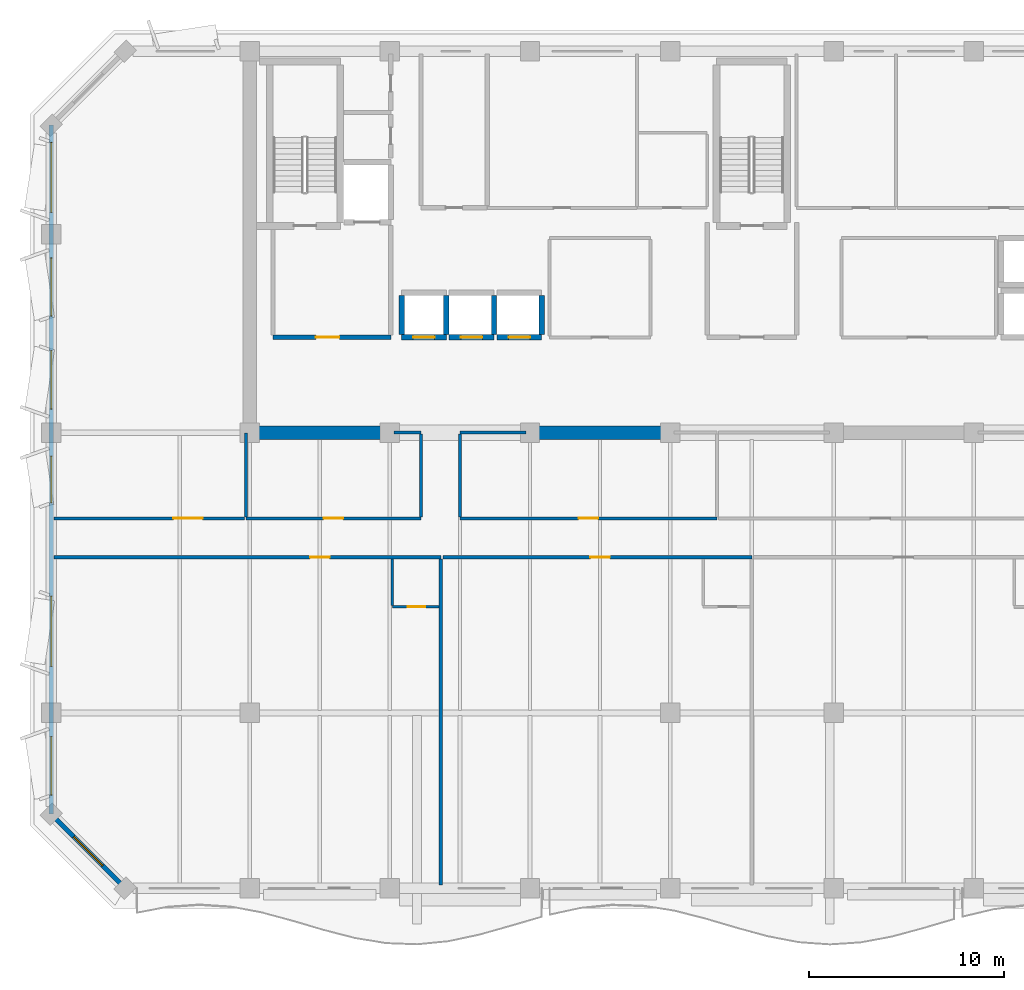
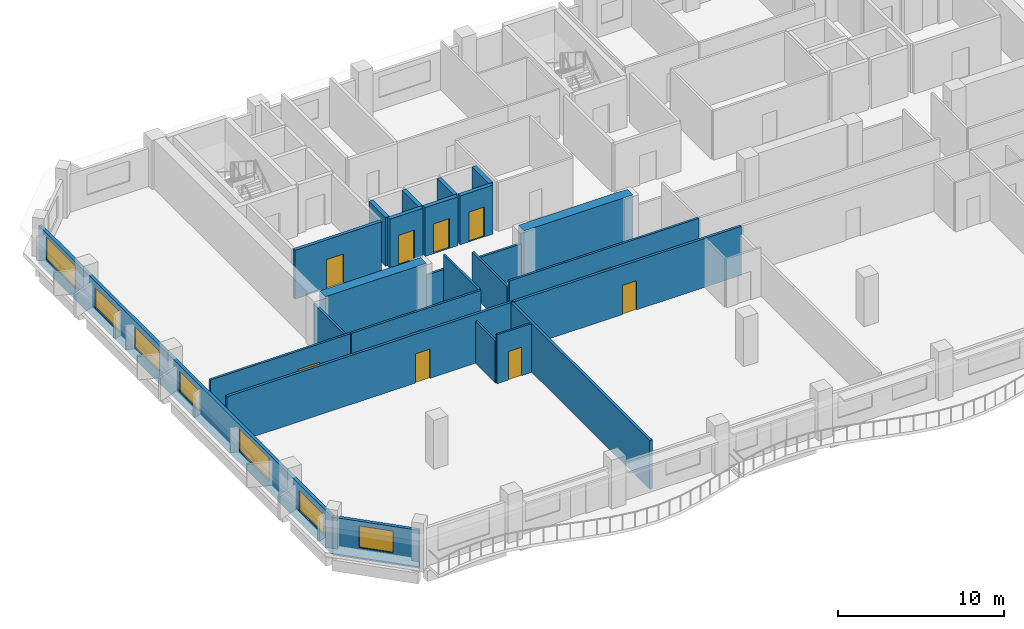
# One storey, part 3 of 11: 25 walls, 10 doors, 7 windows, 17 openings.
"""IFC4 building model written with IfcOpenShell, lengths in metres."""

from ifc_helpers import new_model, si_unit, direction, frame, frame_2d, origin, place, context, subcontext, project, spatial, rectangle, extrude, material, layer, layer_set, type_object, element, fill, save


model = new_model("IFC4")

# Units and contexts
model_context = context("Model", 3, precision=1e-05, world=origin(), true_north=direction((0.0, 1.0)))
body_context = subcontext(model_context, "Body", "Model", "MODEL_VIEW")
ifc_project = project(units=[si_unit("LENGTHUNIT", "METRE"), si_unit("AREAUNIT", "SQUARE_METRE"), si_unit("VOLUMEUNIT", "CUBIC_METRE"), si_unit("PLANEANGLEUNIT", "RADIAN"), si_unit("MASSUNIT", "GRAM", prefix="KILO")], contexts=[model_context])

# Site, building, storey
site_placement = place(None, origin())
site = spatial("IfcSite", under=ifc_project, at=site_placement, CompositionType="ELEMENT")
building_placement = place(site_placement, origin())
building = spatial("IfcBuilding", under=site, at=building_placement, Name="Kaelvorn Grand Hotel", CompositionType="ELEMENT")
storey_placement = place(building_placement, frame((0.0, 0.0, 276.550048828125)))
storey = spatial("IfcBuildingStorey", under=building, at=storey_placement, Name="L68", CompositionType="ELEMENT", Elevation=276.550048828125)

# Walls
ifc_material_1 = material(Name="Concrete C50/60", Category="concrete")
ifc_layer_1 = layer(ifc_material_1, 0.699951171875)
ifc_layer_set_1 = layer_set([ifc_layer_1], Name="Concrete C50/60")
wall_type_1 = type_object("IfcWallType", Name="WL-CORE-700-C50", PredefinedType="SHEAR", material=ifc_layer_set_1)
wall_1_placement = place(storey_placement, frame((16.554931640625, 29.39990234375, 0.0), z_axis=(0.0, 0.0, 1.0), x_axis=(1.0, 0.0, 0.0)))
element("IfcWall", 1, at=wall_1_placement, inside=storey, type_object=wall_type_1, Name="L68 Rear-Core Coupled Shear Pier S1", PredefinedType="SHEAR", context=body_context, shape_type="SweptSolid", body=[
    extrude(rectangle(XDim=7.045166015625, YDim=0.699951171875, at=frame_2d((3.5224609375, 0.0))), origin(), (0.0, 0.0, 1.0), 3.599853515625),
])
wall_2_placement = place(storey_placement, frame((30.39990234375, 29.39990234375, 0.0), z_axis=(0.0, 0.0, 1.0), x_axis=(1.0, 0.0, 0.0)))
element("IfcWall", 2, at=wall_2_placement, inside=storey, type_object=wall_type_1, Name="L68 Rear-Core Coupled Shear Pier S2", PredefinedType="SHEAR", context=body_context, shape_type="SweptSolid", body=[
    extrude(rectangle(XDim=7.60009765625, YDim=0.699951171875, at=frame_2d((3.800048828125, 0.0))), origin(), (0.0, 0.0, 1.0), 3.599853515625),
])

# Wall, openings, windows
ifc_material_2 = material(Name="Concrete C40/50", Category="concrete")
ifc_layer_2 = layer(ifc_material_2, 0.219970703125)
ifc_layer_set_2 = layer_set([ifc_layer_2], Name="Concrete C40/50")
wall_type_2 = type_object("IfcWallType", Name="WL-EXT-220-C40", PredefinedType="SOLIDWALL", material=ifc_layer_set_2)
wall_3_placement = place(storey_placement, frame((6.0, 45.199951171875, 0.0), z_axis=(0.0, 0.0, 1.0), x_axis=(0.0, -1.0, 0.0)))
wall_3 = element("IfcWall", 3, at=wall_3_placement, inside=storey, type_object=wall_type_2, Name="L68 Exterior Architectural Concrete Wall 07", PredefinedType="SOLIDWALL", context=body_context, shape_type="SweptSolid", body=[
    extrude(rectangle(XDim=35.39990234375, YDim=0.219970703125, at=frame_2d((17.699951171875, 0.0))), origin(), (0.0, 0.0, 1.0), 2.800048828125),
])
opening_1_placement = place(wall_3_placement, frame((31.4150390625, 0.0, 0.85009765625)))
opening_1 = element("IfcOpeningElement", 4, at=opening_1_placement, cuts=wall_3, Name="Opening W5", PredefinedType="OPENING", context=body_context, shape_type="SweptSolid", body=[
    extrude(rectangle(XDim=3.0, YDim=1.5, at=frame_2d((1.5, 0.75))), frame((0.0, 0.1201171875, 0.0), z_axis=(0.0, -1.0, 0.0), x_axis=(1.0, 0.0, 0.0)), (0.0, 0.0, 1.0), 0.239990234375),
])
opening_2_placement = place(wall_3_placement, frame((24.199951171875, 0.0, 0.85009765625)))
opening_2 = element("IfcOpeningElement", 5, at=opening_2_placement, cuts=wall_3, Name="Opening W3", PredefinedType="OPENING", context=body_context, shape_type="SweptSolid", body=[
    extrude(rectangle(XDim=3.60009765625, YDim=1.64990234375, at=frame_2d((1.800048828125, 0.824951171875))), frame((0.0, 0.1201171875, 0.0), z_axis=(0.0, -1.0, 0.0), x_axis=(1.0, 0.0, 0.0)), (0.0, 0.0, 1.0), 0.239990234375),
])
opening_3_placement = place(wall_3_placement, frame((17.0, 0.0, 0.85009765625)))
opening_3 = element("IfcOpeningElement", 6, at=opening_3_placement, cuts=wall_3, Name="Opening W6", PredefinedType="OPENING", context=body_context, shape_type="SweptSolid", body=[
    extrude(rectangle(XDim=2.39990234375, YDim=1.5, at=frame_2d((1.199951171875, 0.75))), frame((0.0, 0.1201171875, 0.0), z_axis=(0.0, -1.0, 0.0), x_axis=(1.0, 0.0, 0.0)), (0.0, 0.0, 1.0), 0.239990234375),
])
opening_4_placement = place(wall_3_placement, frame((11.5849609375, 0.0, 0.85009765625)))
opening_4 = element("IfcOpeningElement", 7, at=opening_4_placement, cuts=wall_3, Name="Opening W5", PredefinedType="OPENING", context=body_context, shape_type="SweptSolid", body=[
    extrude(rectangle(XDim=3.0, YDim=1.5, at=frame_2d((1.5, 0.75))), frame((0.0, 0.1201171875, 0.0), z_axis=(0.0, -1.0, 0.0), x_axis=(1.0, 0.0, 0.0)), (0.0, 0.0, 1.0), 0.239990234375),
])
opening_5_placement = place(wall_3_placement, frame((6.81494140625, 0.0, 0.85009765625)))
opening_5 = element("IfcOpeningElement", 8, at=opening_5_placement, cuts=wall_3, Name="Opening W5", PredefinedType="OPENING", context=body_context, shape_type="SweptSolid", body=[
    extrude(rectangle(XDim=3.0, YDim=1.5, at=frame_2d((1.5, 0.75))), frame((0.0, 0.1201171875, 0.0), z_axis=(0.0, -1.0, 0.0), x_axis=(1.0, 0.0, 0.0)), (0.0, 0.0, 1.0), 0.239990234375),
])
opening_6_placement = place(wall_3_placement, frame((0.885009765625, 0.0, 0.85009765625)))
opening_6 = element("IfcOpeningElement", 9, at=opening_6_placement, cuts=wall_3, Name="Opening W3", PredefinedType="OPENING", context=body_context, shape_type="SweptSolid", body=[
    extrude(rectangle(XDim=3.60009765625, YDim=1.64990234375, at=frame_2d((1.800048828125, 0.824951171875))), frame((0.0, 0.1201171875, 0.0), z_axis=(0.0, -1.0, 0.0), x_axis=(1.0, 0.0, 0.0)), (0.0, 0.0, 1.0), 0.239990234375),
])
ifc_material_3 = material(Name="Laminated Low-E Glass", Category="glass")
window_type_1 = type_object("IfcWindowType", Name="WIN-NTH-2400x1500", PartitioningType="SINGLE_PANEL", PredefinedType="WINDOW", material=ifc_material_3)
window_1_placement = place(opening_3_placement, origin())
window_1 = element("IfcWindow", 10, at=window_1_placement, inside=storey, type_object=window_type_1, Name="L68 W Wing Tilted-Frame Ribbon Window W03", OverallHeight=1.5, OverallWidth=2.39990234375, PartitioningType="SINGLE_PANEL", PredefinedType="WINDOW", context=body_context, shape_type="SweptSolid", body=[
    extrude(rectangle(XDim=2.39990234375, YDim=1.5, at=frame_2d((1.199951171875, 0.75))), frame((0.0, 0.030029296875, 0.0), z_axis=(0.0, -1.0, 0.0), x_axis=(1.0, 0.0, 0.0)), (0.0, 0.0, 1.0), 0.06005859375),
])
fill(opening_3, window_1)
window_type_2 = type_object("IfcWindowType", Name="WIN-NTH-3000x1500", PartitioningType="SINGLE_PANEL", PredefinedType="WINDOW", material=ifc_material_3)
window_2_placement = place(opening_1_placement, origin())
window_2 = element("IfcWindow", 11, at=window_2_placement, inside=storey, type_object=window_type_2, Name="L68 W Wing Tilted-Frame Ribbon Window W01", OverallHeight=1.5, OverallWidth=3.0, PartitioningType="SINGLE_PANEL", PredefinedType="WINDOW", context=body_context, shape_type="SweptSolid", body=[
    extrude(rectangle(XDim=3.0, YDim=1.5, at=frame_2d((1.5, 0.75))), frame((0.0, 0.030029296875, 0.0), z_axis=(0.0, -1.0, 0.0), x_axis=(1.0, 0.0, 0.0)), (0.0, 0.0, 1.0), 0.06005859375),
])
fill(opening_1, window_2)
window_3_placement = place(opening_4_placement, origin())
window_3 = element("IfcWindow", 12, at=window_3_placement, inside=storey, type_object=window_type_2, Name="L68 W Wing Tilted-Frame Ribbon Window W04", OverallHeight=1.5, OverallWidth=3.0, PartitioningType="SINGLE_PANEL", PredefinedType="WINDOW", context=body_context, shape_type="SweptSolid", body=[
    extrude(rectangle(XDim=3.0, YDim=1.5, at=frame_2d((1.5, 0.75))), frame((0.0, 0.030029296875, 0.0), z_axis=(0.0, -1.0, 0.0), x_axis=(1.0, 0.0, 0.0)), (0.0, 0.0, 1.0), 0.06005859375),
])
fill(opening_4, window_3)
window_4_placement = place(opening_5_placement, origin())
window_4 = element("IfcWindow", 13, at=window_4_placement, inside=storey, type_object=window_type_2, Name="L68 W Wing Tilted-Frame Ribbon Window W05", OverallHeight=1.5, OverallWidth=3.0, PartitioningType="SINGLE_PANEL", PredefinedType="WINDOW", context=body_context, shape_type="SweptSolid", body=[
    extrude(rectangle(XDim=3.0, YDim=1.5, at=frame_2d((1.5, 0.75))), frame((0.0, 0.030029296875, 0.0), z_axis=(0.0, -1.0, 0.0), x_axis=(1.0, 0.0, 0.0)), (0.0, 0.0, 1.0), 0.06005859375),
])
fill(opening_5, window_4)
window_type_3 = type_object("IfcWindowType", Name="WIN-RIB-3600x1750", PartitioningType="SINGLE_PANEL", PredefinedType="WINDOW", material=ifc_material_3)
window_5_placement = place(opening_2_placement, origin())
window_5 = element("IfcWindow", 14, at=window_5_placement, inside=storey, type_object=window_type_3, Name="L68 W Wing Tilted-Frame Ribbon Window W02", OverallHeight=1.64990234375, OverallWidth=3.60009765625, PartitioningType="SINGLE_PANEL", PredefinedType="WINDOW", context=body_context, shape_type="SweptSolid", body=[
    extrude(rectangle(XDim=3.60009765625, YDim=1.64990234375, at=frame_2d((1.800048828125, 0.824951171875))), frame((0.0, 0.030029296875, 0.0), z_axis=(0.0, -1.0, 0.0), x_axis=(1.0, 0.0, 0.0)), (0.0, 0.0, 1.0), 0.06005859375),
])
fill(opening_2, window_5)
window_6_placement = place(opening_6_placement, origin())
window_6 = element("IfcWindow", 15, at=window_6_placement, inside=storey, type_object=window_type_3, Name="L68 W Wing Tilted-Frame Ribbon Window W06", OverallHeight=1.64990234375, OverallWidth=3.60009765625, PartitioningType="SINGLE_PANEL", PredefinedType="WINDOW", context=body_context, shape_type="SweptSolid", body=[
    extrude(rectangle(XDim=3.60009765625, YDim=1.64990234375, at=frame_2d((1.800048828125, 0.824951171875))), frame((0.0, 0.030029296875, 0.0), z_axis=(0.0, -1.0, 0.0), x_axis=(1.0, 0.0, 0.0)), (0.0, 0.0, 1.0), 0.06005859375),
])
fill(opening_6, window_6)

# Wall, opening, window
wall_4_placement = place(storey_placement, frame((6.0, 9.800048828125, 0.0), z_axis=(0.0, 0.0, 1.0), x_axis=(0.707106781187, -0.707106781187, 0.0)))
wall_4 = element("IfcWall", 16, at=wall_4_placement, inside=storey, type_object=wall_type_2, Name="L68 Exterior Architectural Concrete Wall 08", PredefinedType="SOLIDWALL", context=body_context, shape_type="SweptSolid", body=[
    extrude(rectangle(XDim=5.3740234375, YDim=0.219970703125, at=frame_2d((2.68701171875, 0.0))), origin(), (0.0, 0.0, 1.0), 2.800048828125),
])
opening_7_placement = place(wall_4_placement, frame((1.636962890625, 0.0, 0.85009765625)))
opening_7 = element("IfcOpeningElement", 17, at=opening_7_placement, cuts=wall_4, Name="Opening W7", PredefinedType="OPENING", context=body_context, shape_type="SweptSolid", body=[
    extrude(rectangle(XDim=2.10009765625, YDim=1.60009765625, at=frame_2d((1.050048828125, 0.800048828125))), frame((0.0, 0.1201171875, 0.0), z_axis=(0.0, -1.0, 0.0), x_axis=(1.0, 0.0, 0.0)), (0.0, 0.0, 1.0), 0.239990234375),
])
window_type_4 = type_object("IfcWindowType", Name="WIN-CHM-2100x1600", PartitioningType="SINGLE_PANEL", PredefinedType="WINDOW", material=ifc_material_3)
window_7_placement = place(opening_7_placement, origin())
window_7 = element("IfcWindow", 18, at=window_7_placement, inside=storey, type_object=window_type_4, Name="L68 Chamfered 45-Degree Corner Window SW", OverallHeight=1.60009765625, OverallWidth=2.10009765625, PartitioningType="SINGLE_PANEL", PredefinedType="WINDOW", context=body_context, shape_type="SweptSolid", body=[
    extrude(rectangle(XDim=2.10009765625, YDim=1.60009765625, at=frame_2d((1.050048828125, 0.800048828125))), frame((0.0, 0.030029296875, 0.0), z_axis=(0.0, -1.0, 0.0), x_axis=(1.0, 0.0, 0.0)), (0.0, 0.0, 1.0), 0.06005859375),
])
fill(opening_7, window_7)

# Wall, opening, door
ifc_material_4 = material(Name="Moisture-Resistant Tile & Stud Board")
ifc_layer_3 = layer(ifc_material_4, 0.125)
ifc_layer_set_3 = layer_set([ifc_layer_3], Name="Moisture-Resistant Tile & Stud Board")
wall_type_3 = type_object("IfcWallType", Name="WL-PART-125-WET", PredefinedType="PARTITIONING", material=ifc_layer_set_3)
wall_5_placement = place(storey_placement, frame((23.52490234375, 20.449951171875, 0.0), z_axis=(0.0, 0.0, 1.0), x_axis=(1.0, 0.0, 0.0)))
wall_5 = element("IfcWall", 19, at=wall_5_placement, inside=storey, type_object=wall_type_3, Name="L68 En-suite Bathroom L68-01 S Partition", PredefinedType="PARTITIONING", context=body_context, shape_type="SweptSolid", body=[
    extrude(rectangle(XDim=2.405029296875, YDim=0.125, at=frame_2d((1.20263671875, 0.0))), origin(), (0.0, 0.0, 1.0), 3.599853515625),
])
opening_8_placement = place(wall_5_placement, frame((0.800048828125, 0.0, 0.0)))
opening_8 = element("IfcOpeningElement", 20, at=opening_8_placement, cuts=wall_5, Name="Opening DI4", PredefinedType="OPENING", context=body_context, shape_type="SweptSolid", body=[
    extrude(rectangle(XDim=0.89990234375, YDim=2.10009765625, at=frame_2d((0.449951171875, 1.050048828125))), frame((0.0, 0.072509765625, 0.0), z_axis=(0.0, -1.0, 0.0), x_axis=(1.0, 0.0, 0.0)), (0.0, 0.0, 1.0), 0.14501953125),
])
ifc_material_5 = material(Name="Timber Veneer Leaf", Category="wood")
door_type_1 = type_object("IfcDoorType", Name="DR-INT-BATH-900x2100", OperationType="NOTDEFINED", PredefinedType="DOOR", material=ifc_material_5)
door_1_placement = place(opening_8_placement, origin())
door_1 = element("IfcDoor", 21, at=door_1_placement, inside=storey, type_object=door_type_1, Name="L68 En-suite Bathroom L68-01 Door", OperationType="SINGLE_SWING_LEFT", OverallHeight=2.10009765625, OverallWidth=0.89990234375, PredefinedType="DOOR", context=body_context, shape_type="SweptSolid", body=[
    extrude(rectangle(XDim=0.89990234375, YDim=2.10009765625, at=frame_2d((0.449951171875, 1.050048828125))), frame((0.0, 0.02490234375, 0.0), z_axis=(0.0, -1.0, 0.0), x_axis=(1.0, 0.0, 0.0)), (0.0, 0.0, 1.0), 0.050048828125),
])
fill(opening_8, door_1)

# Wall
wall_6_placement = place(storey_placement, frame((23.52490234375, 20.517578125, 0.0), z_axis=(0.0, 0.0, 1.0), x_axis=(0.0, 1.0, 0.0)))
element("IfcWall", 22, at=wall_6_placement, inside=storey, type_object=wall_type_3, Name="L68 En-suite Bathroom L68-01 W Partition", PredefinedType="PARTITIONING", context=body_context, shape_type="SweptSolid", body=[
    extrude(rectangle(XDim=2.387451171875, YDim=0.125, at=frame_2d((1.19384765625, 0.0))), origin(), (0.0, 0.0, 1.0), 3.099853515625),
])

# Wall, opening, door
ifc_material_6 = material(Name="Acoustic Gypsum & Stud Partition")
ifc_layer_4 = layer(ifc_material_6, 0.14990234375)
ifc_layer_set_4 = layer_set([ifc_layer_4], Name="Acoustic Gypsum & Stud Partition")
wall_type_4 = type_object("IfcWallType", Name="WL-PART-150-EI60", PredefinedType="PARTITIONING", material=ifc_layer_set_4)
wall_7_placement = place(storey_placement, frame((16.0, 25.0, 0.0), z_axis=(0.0, 0.0, 1.0), x_axis=(1.0, 0.0, 0.0)))
wall_7 = element("IfcWall", 23, at=wall_7_placement, inside=storey, type_object=wall_type_4, Name="L68 Wellness Spa Salon S Partition", PredefinedType="PARTITIONING", context=body_context, shape_type="SweptSolid", body=[
    extrude(rectangle(XDim=9.0, YDim=0.14990234375, at=frame_2d((4.5, 0.0))), origin(), (0.0, 0.0, 1.0), 3.599853515625),
])
opening_9_placement = place(wall_7_placement, frame((4.0, 0.0, 0.0)))
opening_9 = element("IfcOpeningElement", 24, at=opening_9_placement, cuts=wall_7, Name="Opening DI3", PredefinedType="OPENING", context=body_context, shape_type="SweptSolid", body=[
    extrude(rectangle(XDim=1.0, YDim=2.14990234375, at=frame_2d((0.5, 1.074951171875))), frame((0.0, 0.0849609375, 0.0), z_axis=(0.0, -1.0, 0.0), x_axis=(1.0, 0.0, 0.0)), (0.0, 0.0, 1.0), 0.169921875),
])
ifc_material_7 = material(Name="Timber Veneer Fire Leaf", Category="wood")
door_type_2 = type_object("IfcDoorType", Name="DR-INT-GUEST-1000x2150", OperationType="NOTDEFINED", PredefinedType="DOOR", material=ifc_material_7)
door_2_placement = place(opening_9_placement, origin())
door_2 = element("IfcDoor", 25, at=door_2_placement, inside=storey, type_object=door_type_2, Name="L68 Wellness Spa Salon Door", OperationType="SINGLE_SWING_RIGHT", OverallHeight=2.14990234375, OverallWidth=1.0, PredefinedType="DOOR", context=body_context, shape_type="SweptSolid", body=[
    extrude(rectangle(XDim=1.0, YDim=2.14990234375, at=frame_2d((0.5, 1.074951171875))), frame((0.0, 0.02490234375, 0.0), z_axis=(0.0, -1.0, 0.0), x_axis=(1.0, 0.0, 0.0)), (0.0, 0.0, 1.0), 0.050048828125),
])
fill(opening_9, door_2)

# Walls
wall_8_placement = place(storey_placement, frame((23.610107421875, 29.39990234375, 0.0), z_axis=(0.0, 0.0, 1.0), x_axis=(1.0, 0.0, 0.0)))
element("IfcWall", 26, at=wall_8_placement, inside=storey, type_object=wall_type_4, Name="L68 Wellness Spa Salon N Partition", PredefinedType="PARTITIONING", context=body_context, shape_type="SweptSolid", body=[
    extrude(rectangle(XDim=1.389892578125, YDim=0.14990234375, at=frame_2d((0.69482421875, 0.0))), origin(), (0.0, 0.0, 1.0), 2.5),
])
wall_9_placement = place(storey_placement, frame((16.0, 25.080078125, 0.0), z_axis=(0.0, 0.0, 1.0), x_axis=(0.0, 1.0, 0.0)))
element("IfcWall", 27, at=wall_9_placement, inside=storey, type_object=wall_type_4, Name="L68 Wellness Spa Salon W Partition", PredefinedType="PARTITIONING", context=body_context, shape_type="SweptSolid", body=[
    extrude(rectangle(XDim=4.309814453125, YDim=0.14990234375, at=frame_2d((2.15478515625, 0.0))), origin(), (0.0, 0.0, 1.0), 3.099853515625),
])
wall_10_placement = place(storey_placement, frame((25.0, 25.080078125, 0.0), z_axis=(0.0, 0.0, 1.0), x_axis=(0.0, 1.0, 0.0)))
element("IfcWall", 28, at=wall_10_placement, inside=storey, type_object=wall_type_4, Name="L68 Wellness Spa Salon E Partition", PredefinedType="PARTITIONING", context=body_context, shape_type="SweptSolid", body=[
    extrude(rectangle(XDim=4.239990234375, YDim=0.14990234375, at=frame_2d((2.1201171875, 0.0))), origin(), (0.0, 0.0, 1.0), 3.599853515625),
])

# Wall, opening, door
wall_11_placement = place(storey_placement, frame((27.0, 25.0, 0.0), z_axis=(0.0, 0.0, 1.0), x_axis=(1.0, 0.0, 0.0)))
wall_11 = element("IfcWall", 29, at=wall_11_placement, inside=storey, type_object=wall_type_4, Name="L68 Guest Pantry Kitchen S Partition", PredefinedType="PARTITIONING", context=body_context, shape_type="SweptSolid", body=[
    extrude(rectangle(XDim=13.199951171875, YDim=0.14990234375, at=frame_2d((6.60009765625, 0.0))), origin(), (0.0, 0.0, 1.0), 3.599853515625),
])
opening_10_placement = place(wall_11_placement, frame((6.10009765625, 0.0, 0.0)))
opening_10 = element("IfcOpeningElement", 30, at=opening_10_placement, cuts=wall_11, Name="Opening DI3", PredefinedType="OPENING", context=body_context, shape_type="SweptSolid", body=[
    extrude(rectangle(XDim=1.0, YDim=2.14990234375, at=frame_2d((0.5, 1.074951171875))), frame((0.0, 0.0849609375, 0.0), z_axis=(0.0, -1.0, 0.0), x_axis=(1.0, 0.0, 0.0)), (0.0, 0.0, 1.0), 0.169921875),
])
door_3_placement = place(opening_10_placement, origin())
door_3 = element("IfcDoor", 31, at=door_3_placement, inside=storey, type_object=door_type_2, Name="L68 Guest Pantry Kitchen Door", OperationType="SINGLE_SWING_LEFT", OverallHeight=2.14990234375, OverallWidth=1.0, PredefinedType="DOOR", context=body_context, shape_type="SweptSolid", body=[
    extrude(rectangle(XDim=1.0, YDim=2.14990234375, at=frame_2d((0.5, 1.074951171875))), frame((0.0, 0.02490234375, 0.0), z_axis=(0.0, -1.0, 0.0), x_axis=(1.0, 0.0, 0.0)), (0.0, 0.0, 1.0), 0.050048828125),
])
fill(opening_10, door_3)

# Walls
wall_12_placement = place(storey_placement, frame((27.0, 29.39990234375, 0.0), z_axis=(0.0, 0.0, 1.0), x_axis=(1.0, 0.0, 0.0)))
element("IfcWall", 32, at=wall_12_placement, inside=storey, type_object=wall_type_4, Name="L68 Guest Pantry Kitchen N Partition (1)", PredefinedType="PARTITIONING", context=body_context, shape_type="SweptSolid", body=[
    extrude(rectangle(XDim=3.389892578125, YDim=0.14990234375, at=frame_2d((1.69482421875, 0.0))), origin(), (0.0, 0.0, 1.0), 2.5),
])
wall_13_placement = place(storey_placement, frame((27.0, 25.080078125, 0.0), z_axis=(0.0, 0.0, 1.0), x_axis=(0.0, 1.0, 0.0)))
element("IfcWall", 33, at=wall_13_placement, inside=storey, type_object=wall_type_4, Name="L68 Guest Pantry Kitchen W Partition", PredefinedType="PARTITIONING", context=body_context, shape_type="SweptSolid", body=[
    extrude(rectangle(XDim=4.239990234375, YDim=0.14990234375, at=frame_2d((2.1201171875, 0.0))), origin(), (0.0, 0.0, 1.0), 3.099853515625),
])

# Wall, opening, door
wall_14_placement = place(storey_placement, frame((6.14990234375, 25.0, 0.0), z_axis=(0.0, 0.0, 1.0), x_axis=(1.0, 0.0, 0.0)))
wall_14 = element("IfcWall", 34, at=wall_14_placement, inside=storey, type_object=wall_type_4, Name="L68 West Sky Executive Meeting Room S Partition", PredefinedType="PARTITIONING", context=body_context, shape_type="SweptSolid", body=[
    extrude(rectangle(XDim=9.77001953125, YDim=0.14990234375, at=frame_2d((4.885009765625, 0.0))), origin(), (0.0, 0.0, 1.0), 3.599853515625),
])
opening_11_placement = place(wall_14_placement, frame((6.1298828125, 0.0, 0.0)))
opening_11 = element("IfcOpeningElement", 35, at=opening_11_placement, cuts=wall_14, Name="Opening DI5", PredefinedType="OPENING", context=body_context, shape_type="SweptSolid", body=[
    extrude(rectangle(XDim=1.5, YDim=2.25, at=frame_2d((0.75, 1.125))), frame((0.0, 0.0849609375, 0.0), z_axis=(0.0, -1.0, 0.0), x_axis=(1.0, 0.0, 0.0)), (0.0, 0.0, 1.0), 0.169921875),
])
door_type_3 = type_object("IfcDoorType", Name="DR-INT-SALON-1500x2250", OperationType="DOUBLE_DOOR_SINGLE_SWING", PredefinedType="DOOR", material=ifc_material_7)
door_4_placement = place(opening_11_placement, origin())
door_4 = element("IfcDoor", 36, at=door_4_placement, inside=storey, type_object=door_type_3, Name="L68 West Sky Executive Meeting Room Door", OperationType="DOUBLE_DOOR_SINGLE_SWING", OverallHeight=2.25, OverallWidth=1.5, PredefinedType="DOOR", context=body_context, shape_type="SweptSolid", body=[
    extrude(rectangle(XDim=1.5, YDim=2.25, at=frame_2d((0.75, 1.125))), frame((0.0, 0.02490234375, 0.0), z_axis=(0.0, -1.0, 0.0), x_axis=(1.0, 0.0, 0.0)), (0.0, 0.0, 1.0), 0.050048828125),
])
fill(opening_11, door_4)

ifc_layer_5 = layer(ifc_material_6, 0.179931640625)
ifc_layer_set_5 = layer_set([ifc_layer_5], Name="Acoustic Gypsum & Stud Partition")
wall_type_5 = type_object("IfcWallType", Name="WL-PART-180-EI60", PredefinedType="PARTITIONING", material=ifc_layer_set_5)
wall_15_placement = place(storey_placement, frame((6.14990234375, 23.0, 0.0), z_axis=(0.0, 0.0, 1.0), x_axis=(1.0, 0.0, 0.0)))
wall_15 = element("IfcWall", 37, at=wall_15_placement, inside=storey, type_object=wall_type_5, Name="L68 Presidential Sky Suite L68-01 N Partition", PredefinedType="PARTITIONING", context=body_context, shape_type="SweptSolid", body=[
    extrude(rectangle(XDim=19.875, YDim=0.179931640625, at=frame_2d((9.9375, 0.0))), origin(), (0.0, 0.0, 1.0), 3.599853515625),
])
opening_12_placement = place(wall_15_placement, frame((13.14990234375, 0.0, 0.0)))
opening_12 = element("IfcOpeningElement", 38, at=opening_12_placement, cuts=wall_15, Name="Opening DI3", PredefinedType="OPENING", context=body_context, shape_type="SweptSolid", body=[
    extrude(rectangle(XDim=1.0, YDim=2.14990234375, at=frame_2d((0.5, 1.074951171875))), frame((0.0, 0.10009765625, 0.0), z_axis=(0.0, -1.0, 0.0), x_axis=(1.0, 0.0, 0.0)), (0.0, 0.0, 1.0), 0.199951171875),
])
door_5_placement = place(opening_12_placement, origin())
door_5 = element("IfcDoor", 39, at=door_5_placement, inside=storey, type_object=door_type_2, Name="L68 Presidential Sky Suite L68-01 Door", OperationType="SINGLE_SWING_RIGHT", OverallHeight=2.14990234375, OverallWidth=1.0, PredefinedType="DOOR", context=body_context, shape_type="SweptSolid", body=[
    extrude(rectangle(XDim=1.0, YDim=2.14990234375, at=frame_2d((0.5, 1.074951171875))), frame((0.0, 0.02490234375, 0.0), z_axis=(0.0, -1.0, 0.0), x_axis=(1.0, 0.0, 0.0)), (0.0, 0.0, 1.0), 0.050048828125),
])
fill(opening_12, door_5)

# Wall
wall_16_placement = place(storey_placement, frame((26.02490234375, 6.14990234375, 0.0), z_axis=(0.0, 0.0, 1.0), x_axis=(0.0, 1.0, 0.0)))
element("IfcWall", 40, at=wall_16_placement, inside=storey, type_object=wall_type_5, Name="L68 Presidential Sky Suite L68-01 E Partition", PredefinedType="PARTITIONING", context=body_context, shape_type="SweptSolid", body=[
    extrude(rectangle(XDim=16.755126953125, YDim=0.179931640625, at=frame_2d((8.37744140625, 0.0))), origin(), (0.0, 0.0, 1.0), 3.599853515625),
])

# Wall, opening, door
wall_17_placement = place(storey_placement, frame((26.1201171875, 23.0, 0.0), z_axis=(0.0, 0.0, 1.0), x_axis=(1.0, 0.0, 0.0)))
wall_17 = element("IfcWall", 41, at=wall_17_placement, inside=storey, type_object=wall_type_5, Name="L68 Presidential Sky Suite L68-02 N Partition", PredefinedType="PARTITIONING", context=body_context, shape_type="SweptSolid", body=[
    extrude(rectangle(XDim=15.8798828125, YDim=0.179931640625, at=frame_2d((7.93994140625, 0.0))), origin(), (0.0, 0.0, 1.0), 3.599853515625),
])
opening_13_placement = place(wall_17_placement, frame((7.580078125, 0.0, 0.0)))
opening_13 = element("IfcOpeningElement", 42, at=opening_13_placement, cuts=wall_17, Name="Opening DI3", PredefinedType="OPENING", context=body_context, shape_type="SweptSolid", body=[
    extrude(rectangle(XDim=1.0, YDim=2.14990234375, at=frame_2d((0.5, 1.074951171875))), frame((0.0, 0.10009765625, 0.0), z_axis=(0.0, -1.0, 0.0), x_axis=(1.0, 0.0, 0.0)), (0.0, 0.0, 1.0), 0.199951171875),
])
door_6_placement = place(opening_13_placement, origin())
door_6 = element("IfcDoor", 43, at=door_6_placement, inside=storey, type_object=door_type_2, Name="L68 Presidential Sky Suite L68-02 Door", OperationType="SINGLE_SWING_RIGHT", OverallHeight=2.14990234375, OverallWidth=1.0, PredefinedType="DOOR", context=body_context, shape_type="SweptSolid", body=[
    extrude(rectangle(XDim=1.0, YDim=2.14990234375, at=frame_2d((0.5, 1.074951171875))), frame((0.0, 0.02490234375, 0.0), z_axis=(0.0, -1.0, 0.0), x_axis=(1.0, 0.0, 0.0)), (0.0, 0.0, 1.0), 0.050048828125),
])
fill(opening_13, door_6)

ifc_layer_6 = layer(ifc_material_2, 0.219970703125)
ifc_layer_set_6 = layer_set([ifc_layer_6], Name="Concrete C40/50")
wall_type_6 = type_object("IfcWallType", Name="WL-PART-220-EI120", PredefinedType="PARTITIONING", material=ifc_layer_set_6)
wall_18_placement = place(storey_placement, frame((17.39990234375, 34.300048828125, 0.0), z_axis=(0.0, 0.0, 1.0), x_axis=(1.0, 0.0, 0.0)))
wall_18 = element("IfcWall", 44, at=wall_18_placement, inside=storey, type_object=wall_type_6, Name="L68 Firefighting Lift Lobby 1 S Partition", PredefinedType="PARTITIONING", context=body_context, shape_type="SweptSolid", body=[
    extrude(rectangle(XDim=6.050048828125, YDim=0.219970703125, at=frame_2d((3.02490234375, 0.0))), origin(), (0.0, 0.0, 1.0), 3.599853515625),
])
opening_14_placement = place(wall_18_placement, frame((2.199951171875, 0.0, 0.0)))
opening_14 = element("IfcOpeningElement", 45, at=opening_14_placement, cuts=wall_18, Name="Opening DI2", PredefinedType="OPENING", context=body_context, shape_type="SweptSolid", body=[
    extrude(rectangle(XDim=1.199951171875, YDim=2.14990234375, at=frame_2d((0.60009765625, 1.074951171875))), frame((0.0, 0.1201171875, 0.0), z_axis=(0.0, -1.0, 0.0), x_axis=(1.0, 0.0, 0.0)), (0.0, 0.0, 1.0), 0.239990234375),
])
door_type_4 = type_object("IfcDoorType", Name="DR-INT-FFLOB-1200x2150", OperationType="NOTDEFINED", PredefinedType="DOOR", material=ifc_material_7)
door_7_placement = place(opening_14_placement, origin())
door_7 = element("IfcDoor", 46, at=door_7_placement, inside=storey, type_object=door_type_4, Name="L68 Firefighting Lift Lobby 1 Door", OperationType="SINGLE_SWING_LEFT", OverallHeight=2.14990234375, OverallWidth=1.199951171875, PredefinedType="DOOR", context=body_context, shape_type="SweptSolid", body=[
    extrude(rectangle(XDim=1.199951171875, YDim=2.14990234375, at=frame_2d((0.60009765625, 1.074951171875))), frame((0.0, 0.02490234375, 0.0), z_axis=(0.0, -1.0, 0.0), x_axis=(1.0, 0.0, 0.0)), (0.0, 0.0, 1.0), 0.050048828125),
])
fill(opening_14, door_7)

ifc_layer_7 = layer(ifc_material_1, 0.280029296875)
ifc_layer_set_7 = layer_set([ifc_layer_7], Name="Concrete C50/60")
wall_type_7 = type_object("IfcWallType", Name="WL-SHAFT-280-C50", PredefinedType="SHEAR", material=ifc_layer_set_7)
wall_19_placement = place(storey_placement, frame((24.0, 34.300048828125, 0.0), z_axis=(0.0, 0.0, 1.0), x_axis=(1.0, 0.0, 0.0)))
wall_19 = element("IfcWall", 47, at=wall_19_placement, inside=storey, type_object=wall_type_7, Name="L68 Lift PL-H1 Shaft South Wall", PredefinedType="SHEAR", context=body_context, shape_type="SweptSolid", body=[
    extrude(rectangle(XDim=2.300048828125, YDim=0.280029296875, at=frame_2d((1.14990234375, 0.0))), origin(), (0.0, 0.0, 1.0), 3.599853515625),
])
opening_15_placement = place(wall_19_placement, frame((0.60009765625, 0.0, 0.0)))
opening_15 = element("IfcOpeningElement", 48, at=opening_15_placement, cuts=wall_19, Name="Opening LD-PL-H1", PredefinedType="OPENING", context=body_context, shape_type="SweptSolid", body=[
    extrude(rectangle(XDim=1.10009765625, YDim=2.199951171875, at=frame_2d((0.550048828125, 1.10009765625))), frame((0.0, 0.14990234375, 0.0), z_axis=(0.0, -1.0, 0.0), x_axis=(1.0, 0.0, 0.0)), (0.0, 0.0, 1.0), 0.300048828125),
])
ifc_material_8 = material(Name="Stainless Steel", Category="steel")
door_type_5 = type_object("IfcDoorType", Name="DR-LIFT-PASS-1100x2200", OperationType="DOUBLE_DOOR_SLIDING", PredefinedType="DOOR", material=ifc_material_8)
door_8_placement = place(opening_15_placement, origin())
door_8 = element("IfcDoor", 49, at=door_8_placement, inside=storey, type_object=door_type_5, Name="L68 Lift PL-H1 Sliding Landing Door LD-PL-H1", OperationType="DOUBLE_DOOR_SLIDING", OverallHeight=2.199951171875, OverallWidth=1.10009765625, PredefinedType="DOOR", context=body_context, shape_type="SweptSolid", body=[
    extrude(rectangle(XDim=1.10009765625, YDim=2.199951171875, at=frame_2d((0.550048828125, 1.10009765625))), frame((0.0, 0.02490234375, 0.0), z_axis=(0.0, -1.0, 0.0), x_axis=(1.0, 0.0, 0.0)), (0.0, 0.0, 1.0), 0.050048828125),
])
fill(opening_15, door_8)

# Walls
for number, where, z_axis, x_axis, name in (
    (50, (24.0, 34.445068359375, 0.0), (0.0, 0.0, 1.0), (0.0, 1.0, 0.0), "L68 Lift PL-H1 Shaft West Wall"),
    (51, (26.300048828125, 34.445068359375, 0.0), (0.0, 0.0, 1.0), (0.0, 1.0, 0.0), "L68 Lift PL-H1 Shaft East Wall"),
):
    element("IfcWall", number, at=place(storey_placement, frame(where, z_axis=z_axis, x_axis=x_axis)), inside=storey, type_object=wall_type_7, Name=name, PredefinedType="SHEAR", context=body_context, shape_type="SweptSolid", body=[
        extrude(rectangle(XDim=2.010009765625, YDim=0.280029296875, at=frame_2d((1.0048828125, 0.0))), origin(), (0.0, 0.0, 1.0), 3.599853515625),
    ])

# Wall, opening, door
wall_20_placement = place(storey_placement, frame((26.449951171875, 34.300048828125, 0.0), z_axis=(0.0, 0.0, 1.0), x_axis=(1.0, 0.0, 0.0)))
wall_20 = element("IfcWall", 52, at=wall_20_placement, inside=storey, type_object=wall_type_7, Name="L68 Lift PL-H2 Shaft South Wall", PredefinedType="SHEAR", context=body_context, shape_type="SweptSolid", body=[
    extrude(rectangle(XDim=2.300048828125, YDim=0.280029296875, at=frame_2d((1.14990234375, 0.0))), origin(), (0.0, 0.0, 1.0), 3.599853515625),
])
opening_16_placement = place(wall_20_placement, frame((0.60009765625, 0.0, 0.0)))
opening_16 = element("IfcOpeningElement", 53, at=opening_16_placement, cuts=wall_20, Name="Opening LD-PL-H2", PredefinedType="OPENING", context=body_context, shape_type="SweptSolid", body=[
    extrude(rectangle(XDim=1.10009765625, YDim=2.199951171875, at=frame_2d((0.550048828125, 1.10009765625))), frame((0.0, 0.14990234375, 0.0), z_axis=(0.0, -1.0, 0.0), x_axis=(1.0, 0.0, 0.0)), (0.0, 0.0, 1.0), 0.300048828125),
])
door_9_placement = place(opening_16_placement, origin())
door_9 = element("IfcDoor", 54, at=door_9_placement, inside=storey, type_object=door_type_5, Name="L68 Lift PL-H2 Sliding Landing Door LD-PL-H2", OperationType="DOUBLE_DOOR_SLIDING", OverallHeight=2.199951171875, OverallWidth=1.10009765625, PredefinedType="DOOR", context=body_context, shape_type="SweptSolid", body=[
    extrude(rectangle(XDim=1.10009765625, YDim=2.199951171875, at=frame_2d((0.550048828125, 1.10009765625))), frame((0.0, 0.02490234375, 0.0), z_axis=(0.0, -1.0, 0.0), x_axis=(1.0, 0.0, 0.0)), (0.0, 0.0, 1.0), 0.050048828125),
])
fill(opening_16, door_9)

# Wall
wall_21_placement = place(storey_placement, frame((28.75, 34.445068359375, 0.0), z_axis=(0.0, 0.0, 1.0), x_axis=(0.0, 1.0, 0.0)))
element("IfcWall", 55, at=wall_21_placement, inside=storey, type_object=wall_type_7, Name="L68 Lift PL-H2 Shaft East Wall", PredefinedType="SHEAR", context=body_context, shape_type="SweptSolid", body=[
    extrude(rectangle(XDim=2.010009765625, YDim=0.280029296875, at=frame_2d((1.0048828125, 0.0))), origin(), (0.0, 0.0, 1.0), 3.599853515625),
])

# Wall, opening, door
wall_22_placement = place(storey_placement, frame((28.89990234375, 34.300048828125, 0.0), z_axis=(0.0, 0.0, 1.0), x_axis=(1.0, 0.0, 0.0)))
wall_22 = element("IfcWall", 56, at=wall_22_placement, inside=storey, type_object=wall_type_7, Name="L68 Lift PL-H3 Shaft South Wall", PredefinedType="SHEAR", context=body_context, shape_type="SweptSolid", body=[
    extrude(rectangle(XDim=2.300048828125, YDim=0.280029296875, at=frame_2d((1.14990234375, 0.0))), origin(), (0.0, 0.0, 1.0), 3.599853515625),
])
opening_17_placement = place(wall_22_placement, frame((0.60009765625, 0.0, 0.0)))
opening_17 = element("IfcOpeningElement", 57, at=opening_17_placement, cuts=wall_22, Name="Opening LD-PL-H3", PredefinedType="OPENING", context=body_context, shape_type="SweptSolid", body=[
    extrude(rectangle(XDim=1.10009765625, YDim=2.199951171875, at=frame_2d((0.550048828125, 1.10009765625))), frame((0.0, 0.14990234375, 0.0), z_axis=(0.0, -1.0, 0.0), x_axis=(1.0, 0.0, 0.0)), (0.0, 0.0, 1.0), 0.300048828125),
])
door_10_placement = place(opening_17_placement, origin())
door_10 = element("IfcDoor", 58, at=door_10_placement, inside=storey, type_object=door_type_5, Name="L68 Lift PL-H3 Sliding Landing Door LD-PL-H3", OperationType="DOUBLE_DOOR_SLIDING", OverallHeight=2.199951171875, OverallWidth=1.10009765625, PredefinedType="DOOR", context=body_context, shape_type="SweptSolid", body=[
    extrude(rectangle(XDim=1.10009765625, YDim=2.199951171875, at=frame_2d((0.550048828125, 1.10009765625))), frame((0.0, 0.02490234375, 0.0), z_axis=(0.0, -1.0, 0.0), x_axis=(1.0, 0.0, 0.0)), (0.0, 0.0, 1.0), 0.050048828125),
])
fill(opening_17, door_10)

# Wall
wall_23_placement = place(storey_placement, frame((31.199951171875, 34.445068359375, 0.0), z_axis=(0.0, 0.0, 1.0), x_axis=(0.0, 1.0, 0.0)))
element("IfcWall", 59, at=wall_23_placement, inside=storey, type_object=wall_type_7, Name="L68 Lift PL-H3 Shaft East Wall", PredefinedType="SHEAR", context=body_context, shape_type="SweptSolid", body=[
    extrude(rectangle(XDim=2.010009765625, YDim=0.280029296875, at=frame_2d((1.0048828125, 0.0))), origin(), (0.0, 0.0, 1.0), 3.599853515625),
])

save(model, "model.ifc")
